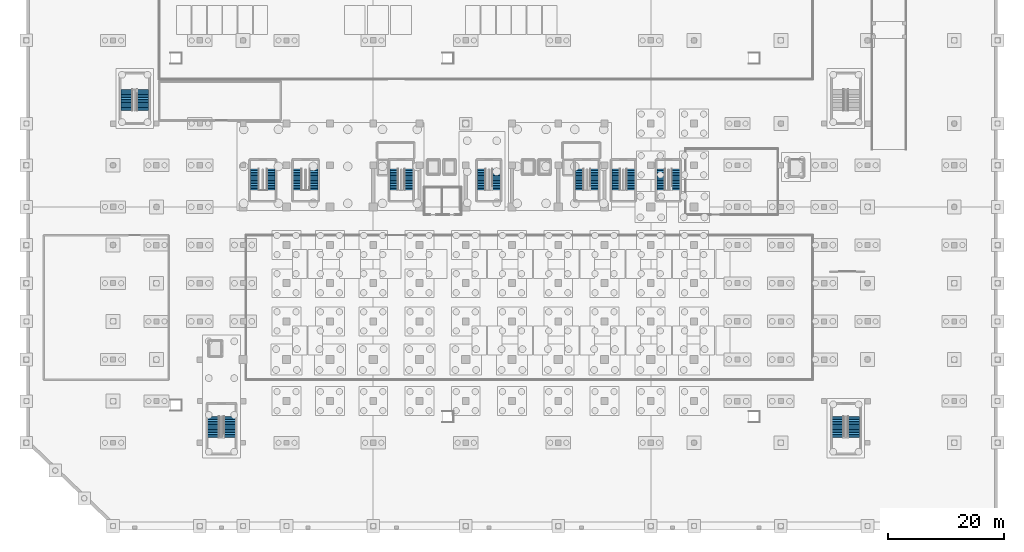
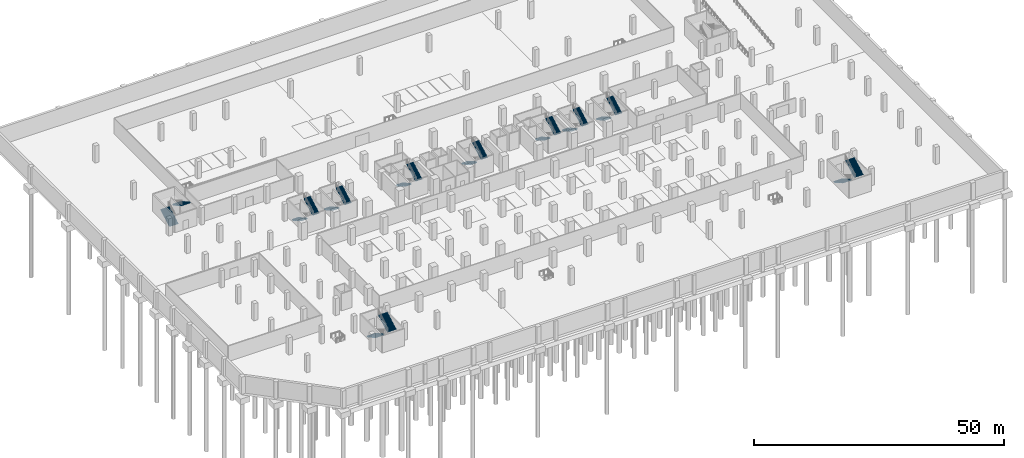
# One storey, part 19 of 26: 20 stair flights, 10 elements without a shape of their own.
"""IFC4 building model written with IfcOpenShell, lengths in metres."""

from ifc_helpers import new_model, si_unit, direction, frame, origin, place, context, subcontext, project, spatial, polyline, outline, extrude, material, type_object, element, aggregate, save


model = new_model("IFC4")

# Units and contexts
model_context = context("Model", 3, precision=1e-05, world=origin(), true_north=direction((0.0, 1.0)))
body_context = subcontext(model_context, "Body", "Model", "MODEL_VIEW")
ifc_project = project(units=[si_unit("LENGTHUNIT", "METRE"), si_unit("AREAUNIT", "SQUARE_METRE"), si_unit("VOLUMEUNIT", "CUBIC_METRE"), si_unit("PLANEANGLEUNIT", "RADIAN"), si_unit("MASSUNIT", "GRAM", prefix="KILO")], contexts=[model_context])

# Site, building, storey
site_placement = place(None, origin())
site = spatial("IfcSite", under=ifc_project, at=site_placement, CompositionType="ELEMENT")
building_placement = place(site_placement, origin())
building = spatial("IfcBuilding", under=site, at=building_placement, Name="Akrevak Sports Hall", CompositionType="ELEMENT")
storey_placement = place(building_placement, frame((0.0, 0.0, -9.0)))
storey = spatial("IfcBuildingStorey", under=building, at=storey_placement, Name="B02", CompositionType="ELEMENT", Elevation=-9.0)

# Stair, stair flights
ifc_material = material(Name="Concrete C40/50", Category="concrete")
stair_type_1 = type_object("IfcStairType", Name="ARC-STR-DOG-450", PredefinedType="HALF_TURN_STAIR", material=ifc_material)
stair_1_placement = place(storey_placement, origin())
stair_1 = element("IfcStair", 1, at=stair_1_placement, inside=storey, type_object=stair_type_1, Name="Protected Exit Stair ST1 (B02 to B01)", PredefinedType="HALF_TURN_STAIR")
stair_flight_type_1 = type_object("IfcStairFlightType", Name="ARC-FLT-165-161", PredefinedType="STRAIGHT", material=ifc_material)
stair_flight_1_placement = place(storey_placement, frame((63.610107421875, 61.735107421875, 0.0), z_axis=(0.0, 0.0, 1.0), x_axis=(0.0, -1.0, 0.0)))
stair_flight_1 = element("IfcStairFlight", 2, at=stair_flight_1_placement, type_object=stair_flight_type_1, Name="Stair ST1 Flight 1 (B02)", NumberOfRisers=14, NumberOfTreads=13, PredefinedType="STRAIGHT", RiserHeight=0.160714, TreadLength=0.28, context=body_context, shape_type="SweptSolid", body=[
    extrude(outline(polyline([(0.0, 0.0), (0.0, 0.16064453125), (0.280029296875, 0.16064453125), (0.280029296875, 0.321533203125), (0.56005859375, 0.321533203125), (0.56005859375, 0.482177734375), (0.840087890625, 0.482177734375), (0.840087890625, 0.642822265625), (1.1201171875, 0.642822265625), (1.1201171875, 0.803466796875), (1.39990234375, 0.803466796875), (1.39990234375, 0.96435546875), (1.679931640625, 0.96435546875), (1.679931640625, 1.125), (1.9599609375, 1.125), (1.9599609375, 1.28564453125), (2.239990234375, 1.28564453125), (2.239990234375, 1.446533203125), (2.52001953125, 1.446533203125), (2.52001953125, 1.607177734375), (2.800048828125, 1.607177734375), (2.800048828125, 1.767822265625), (3.080078125, 1.767822265625), (3.080078125, 1.928466796875), (3.360107421875, 1.928466796875), (3.360107421875, 2.08935546875), (3.639892578125, 2.08935546875), (3.639892578125, 2.25), (3.639892578125, 1.858642578125), (0.401611328125, 0.0), (0.0, 0.0)])), frame((0.0, 0.75, 0.0), z_axis=(0.0, -1.0, 0.0), x_axis=(1.0, 0.0, 0.0)), (0.0, 0.0, 1.0), 1.5),
])
stair_flight_2_placement = place(storey_placement, frame((66.090087890625, 58.094970703125, 2.25), z_axis=(0.0, 0.0, 1.0), x_axis=(0.0, 1.0, 0.0)))
stair_flight_2 = element("IfcStairFlight", 3, at=stair_flight_2_placement, type_object=stair_flight_type_1, Name="Stair ST1 Flight 2 (B02)", NumberOfRisers=14, NumberOfTreads=13, PredefinedType="STRAIGHT", RiserHeight=0.160714, TreadLength=0.28, context=body_context, shape_type="SweptSolid", body=[
    extrude(outline(polyline([(0.0, 0.0), (0.0, 0.16064453125), (0.280029296875, 0.16064453125), (0.280029296875, 0.321533203125), (0.56005859375, 0.321533203125), (0.56005859375, 0.482177734375), (0.840087890625, 0.482177734375), (0.840087890625, 0.642822265625), (1.1201171875, 0.642822265625), (1.1201171875, 0.803466796875), (1.39990234375, 0.803466796875), (1.39990234375, 0.96435546875), (1.679931640625, 0.96435546875), (1.679931640625, 1.125), (1.9599609375, 1.125), (1.9599609375, 1.28564453125), (2.239990234375, 1.28564453125), (2.239990234375, 1.446533203125), (2.52001953125, 1.446533203125), (2.52001953125, 1.607177734375), (2.800048828125, 1.607177734375), (2.800048828125, 1.767822265625), (3.080078125, 1.767822265625), (3.080078125, 1.928466796875), (3.360107421875, 1.928466796875), (3.360107421875, 2.08935546875), (3.639892578125, 2.08935546875), (3.639892578125, 2.25), (3.639892578125, 1.858642578125), (0.401611328125, 0.0), (0.0, 0.0)])), frame((0.0, 0.75, 0.0), z_axis=(0.0, -1.0, 0.0), x_axis=(1.0, 0.0, 0.0)), (0.0, 0.0, 1.0), 1.5),
])
aggregate(stair_1, [stair_flight_1, stair_flight_2])

stair_2_placement = place(storey_placement, origin())
stair_2 = element("IfcStair", 4, at=stair_2_placement, inside=storey, type_object=stair_type_1, Name="Protected Exit Stair ST2 (B02 to B01)", PredefinedType="HALF_TURN_STAIR")
stair_flight_3_placement = place(storey_placement, frame((95.7099609375, 61.735107421875, 0.0), z_axis=(0.0, 0.0, 1.0), x_axis=(0.0, -1.0, 0.0)))
stair_flight_3 = element("IfcStairFlight", 5, at=stair_flight_3_placement, type_object=stair_flight_type_1, Name="Stair ST2 Flight 1 (B02)", NumberOfRisers=14, NumberOfTreads=13, PredefinedType="STRAIGHT", RiserHeight=0.160714, TreadLength=0.28, context=body_context, shape_type="SweptSolid", body=[
    extrude(outline(polyline([(0.0, 0.0), (0.0, 0.16064453125), (0.280029296875, 0.16064453125), (0.280029296875, 0.321533203125), (0.56005859375, 0.321533203125), (0.56005859375, 0.482177734375), (0.840087890625, 0.482177734375), (0.840087890625, 0.642822265625), (1.1201171875, 0.642822265625), (1.1201171875, 0.803466796875), (1.39990234375, 0.803466796875), (1.39990234375, 0.96435546875), (1.679931640625, 0.96435546875), (1.679931640625, 1.125), (1.9599609375, 1.125), (1.9599609375, 1.28564453125), (2.239990234375, 1.28564453125), (2.239990234375, 1.446533203125), (2.52001953125, 1.446533203125), (2.52001953125, 1.607177734375), (2.800048828125, 1.607177734375), (2.800048828125, 1.767822265625), (3.080078125, 1.767822265625), (3.080078125, 1.928466796875), (3.360107421875, 1.928466796875), (3.360107421875, 2.08935546875), (3.639892578125, 2.08935546875), (3.639892578125, 2.25), (3.639892578125, 1.858642578125), (0.401611328125, 0.0), (0.0, 0.0)])), frame((0.0, 0.75, 0.0), z_axis=(0.0, -1.0, 0.0), x_axis=(1.0, 0.0, 0.0)), (0.0, 0.0, 1.0), 1.5),
])
stair_flight_4_placement = place(storey_placement, frame((98.18994140625, 58.094970703125, 2.25), z_axis=(0.0, 0.0, 1.0), x_axis=(0.0, 1.0, 0.0)))
stair_flight_4 = element("IfcStairFlight", 6, at=stair_flight_4_placement, type_object=stair_flight_type_1, Name="Stair ST2 Flight 2 (B02)", NumberOfRisers=14, NumberOfTreads=13, PredefinedType="STRAIGHT", RiserHeight=0.160714, TreadLength=0.28, context=body_context, shape_type="SweptSolid", body=[
    extrude(outline(polyline([(0.0, 0.0), (0.0, 0.16064453125), (0.280029296875, 0.16064453125), (0.280029296875, 0.321533203125), (0.56005859375, 0.321533203125), (0.56005859375, 0.482177734375), (0.840087890625, 0.482177734375), (0.840087890625, 0.642822265625), (1.1201171875, 0.642822265625), (1.1201171875, 0.803466796875), (1.39990234375, 0.803466796875), (1.39990234375, 0.96435546875), (1.679931640625, 0.96435546875), (1.679931640625, 1.125), (1.9599609375, 1.125), (1.9599609375, 1.28564453125), (2.239990234375, 1.28564453125), (2.239990234375, 1.446533203125), (2.52001953125, 1.446533203125), (2.52001953125, 1.607177734375), (2.800048828125, 1.607177734375), (2.800048828125, 1.767822265625), (3.080078125, 1.767822265625), (3.080078125, 1.928466796875), (3.360107421875, 1.928466796875), (3.360107421875, 2.08935546875), (3.639892578125, 2.08935546875), (3.639892578125, 2.25), (3.639892578125, 1.858642578125), (0.401611328125, 0.0), (0.0, 0.0)])), frame((0.0, 0.75, 0.0), z_axis=(0.0, -1.0, 0.0), x_axis=(1.0, 0.0, 0.0)), (0.0, 0.0, 1.0), 1.5),
])
aggregate(stair_2, [stair_flight_3, stair_flight_4])

stair_3_placement = place(storey_placement, origin())
stair_3 = element("IfcStair", 7, at=stair_3_placement, inside=storey, type_object=stair_type_1, Name="Protected Exit Stair ST3 (B02 to B01)", PredefinedType="HALF_TURN_STAIR")
stair_flight_5_placement = place(storey_placement, frame((78.760009765625, 61.735107421875, 0.0), z_axis=(0.0, 0.0, 1.0), x_axis=(0.0, -1.0, 0.0)))
stair_flight_5 = element("IfcStairFlight", 8, at=stair_flight_5_placement, type_object=stair_flight_type_1, Name="Stair ST3 Flight 1 (B02)", NumberOfRisers=14, NumberOfTreads=13, PredefinedType="STRAIGHT", RiserHeight=0.160714, TreadLength=0.28, context=body_context, shape_type="SweptSolid", body=[
    extrude(outline(polyline([(0.0, 0.0), (0.0, 0.16064453125), (0.280029296875, 0.16064453125), (0.280029296875, 0.321533203125), (0.56005859375, 0.321533203125), (0.56005859375, 0.482177734375), (0.840087890625, 0.482177734375), (0.840087890625, 0.642822265625), (1.1201171875, 0.642822265625), (1.1201171875, 0.803466796875), (1.39990234375, 0.803466796875), (1.39990234375, 0.96435546875), (1.679931640625, 0.96435546875), (1.679931640625, 1.125), (1.9599609375, 1.125), (1.9599609375, 1.28564453125), (2.239990234375, 1.28564453125), (2.239990234375, 1.446533203125), (2.52001953125, 1.446533203125), (2.52001953125, 1.607177734375), (2.800048828125, 1.607177734375), (2.800048828125, 1.767822265625), (3.080078125, 1.767822265625), (3.080078125, 1.928466796875), (3.360107421875, 1.928466796875), (3.360107421875, 2.08935546875), (3.639892578125, 2.08935546875), (3.639892578125, 2.25), (3.639892578125, 1.858642578125), (0.401611328125, 0.0), (0.0, 0.0)])), frame((0.0, 0.75, 0.0), z_axis=(0.0, -1.0, 0.0), x_axis=(1.0, 0.0, 0.0)), (0.0, 0.0, 1.0), 1.5),
])
stair_flight_6_placement = place(storey_placement, frame((81.239990234375, 58.094970703125, 2.25), z_axis=(0.0, 0.0, 1.0), x_axis=(0.0, 1.0, 0.0)))
stair_flight_6 = element("IfcStairFlight", 9, at=stair_flight_6_placement, type_object=stair_flight_type_1, Name="Stair ST3 Flight 2 (B02)", NumberOfRisers=14, NumberOfTreads=13, PredefinedType="STRAIGHT", RiserHeight=0.160714, TreadLength=0.28, context=body_context, shape_type="SweptSolid", body=[
    extrude(outline(polyline([(0.0, 0.0), (0.0, 0.16064453125), (0.280029296875, 0.16064453125), (0.280029296875, 0.321533203125), (0.56005859375, 0.321533203125), (0.56005859375, 0.482177734375), (0.840087890625, 0.482177734375), (0.840087890625, 0.642822265625), (1.1201171875, 0.642822265625), (1.1201171875, 0.803466796875), (1.39990234375, 0.803466796875), (1.39990234375, 0.96435546875), (1.679931640625, 0.96435546875), (1.679931640625, 1.125), (1.9599609375, 1.125), (1.9599609375, 1.28564453125), (2.239990234375, 1.28564453125), (2.239990234375, 1.446533203125), (2.52001953125, 1.446533203125), (2.52001953125, 1.607177734375), (2.800048828125, 1.607177734375), (2.800048828125, 1.767822265625), (3.080078125, 1.767822265625), (3.080078125, 1.928466796875), (3.360107421875, 1.928466796875), (3.360107421875, 2.08935546875), (3.639892578125, 2.08935546875), (3.639892578125, 2.25), (3.639892578125, 1.858642578125), (0.401611328125, 0.0), (0.0, 0.0)])), frame((0.0, 0.75, 0.0), z_axis=(0.0, -1.0, 0.0), x_axis=(1.0, 0.0, 0.0)), (0.0, 0.0, 1.0), 1.5),
])
aggregate(stair_3, [stair_flight_5, stair_flight_6])

stair_4_placement = place(storey_placement, origin())
stair_4 = element("IfcStair", 10, at=stair_4_placement, inside=storey, type_object=stair_type_1, Name="East Wing Exit Stair ST10 (B02 to B01)", PredefinedType="HALF_TURN_STAIR")
stair_flight_7_placement = place(storey_placement, frame((102.010009765625, 61.735107421875, 0.0), z_axis=(0.0, 0.0, 1.0), x_axis=(0.0, -1.0, 0.0)))
stair_flight_7 = element("IfcStairFlight", 11, at=stair_flight_7_placement, type_object=stair_flight_type_1, Name="Stair ST10 Flight 1 (B02)", NumberOfRisers=14, NumberOfTreads=13, PredefinedType="STRAIGHT", RiserHeight=0.160714, TreadLength=0.28, context=body_context, shape_type="SweptSolid", body=[
    extrude(outline(polyline([(0.0, 0.0), (0.0, 0.16064453125), (0.280029296875, 0.16064453125), (0.280029296875, 0.321533203125), (0.56005859375, 0.321533203125), (0.56005859375, 0.482177734375), (0.840087890625, 0.482177734375), (0.840087890625, 0.642822265625), (1.1201171875, 0.642822265625), (1.1201171875, 0.803466796875), (1.39990234375, 0.803466796875), (1.39990234375, 0.96435546875), (1.679931640625, 0.96435546875), (1.679931640625, 1.125), (1.9599609375, 1.125), (1.9599609375, 1.28564453125), (2.239990234375, 1.28564453125), (2.239990234375, 1.446533203125), (2.52001953125, 1.446533203125), (2.52001953125, 1.607177734375), (2.800048828125, 1.607177734375), (2.800048828125, 1.767822265625), (3.080078125, 1.767822265625), (3.080078125, 1.928466796875), (3.360107421875, 1.928466796875), (3.360107421875, 2.08935546875), (3.639892578125, 2.08935546875), (3.639892578125, 2.25), (3.639892578125, 1.858642578125), (0.401611328125, 0.0), (0.0, 0.0)])), frame((0.0, 0.75, 0.0), z_axis=(0.0, -1.0, 0.0), x_axis=(1.0, 0.0, 0.0)), (0.0, 0.0, 1.0), 1.5),
])
stair_flight_8_placement = place(storey_placement, frame((104.489990234375, 58.094970703125, 2.25), z_axis=(0.0, 0.0, 1.0), x_axis=(0.0, 1.0, 0.0)))
stair_flight_8 = element("IfcStairFlight", 12, at=stair_flight_8_placement, type_object=stair_flight_type_1, Name="Stair ST10 Flight 2 (B02)", NumberOfRisers=14, NumberOfTreads=13, PredefinedType="STRAIGHT", RiserHeight=0.160714, TreadLength=0.28, context=body_context, shape_type="SweptSolid", body=[
    extrude(outline(polyline([(0.0, 0.0), (0.0, 0.16064453125), (0.280029296875, 0.16064453125), (0.280029296875, 0.321533203125), (0.56005859375, 0.321533203125), (0.56005859375, 0.482177734375), (0.840087890625, 0.482177734375), (0.840087890625, 0.642822265625), (1.1201171875, 0.642822265625), (1.1201171875, 0.803466796875), (1.39990234375, 0.803466796875), (1.39990234375, 0.96435546875), (1.679931640625, 0.96435546875), (1.679931640625, 1.125), (1.9599609375, 1.125), (1.9599609375, 1.28564453125), (2.239990234375, 1.28564453125), (2.239990234375, 1.446533203125), (2.52001953125, 1.446533203125), (2.52001953125, 1.607177734375), (2.800048828125, 1.607177734375), (2.800048828125, 1.767822265625), (3.080078125, 1.767822265625), (3.080078125, 1.928466796875), (3.360107421875, 1.928466796875), (3.360107421875, 2.08935546875), (3.639892578125, 2.08935546875), (3.639892578125, 2.25), (3.639892578125, 1.858642578125), (0.401611328125, 0.0), (0.0, 0.0)])), frame((0.0, 0.75, 0.0), z_axis=(0.0, -1.0, 0.0), x_axis=(1.0, 0.0, 0.0)), (0.0, 0.0, 1.0), 1.5),
])
aggregate(stair_4, [stair_flight_7, stair_flight_8])

stair_5_placement = place(storey_placement, origin())
stair_5 = element("IfcStair", 13, at=stair_5_placement, inside=storey, type_object=stair_type_1, Name="East Transfer Exit Stair ST11 (B02 to B01)", PredefinedType="HALF_TURN_STAIR")
stair_flight_9_placement = place(storey_placement, frame((109.81005859375, 61.735107421875, 0.0), z_axis=(0.0, 0.0, 1.0), x_axis=(0.0, -1.0, 0.0)))
stair_flight_9 = element("IfcStairFlight", 14, at=stair_flight_9_placement, type_object=stair_flight_type_1, Name="Stair ST11 Flight 1 (B02)", NumberOfRisers=14, NumberOfTreads=13, PredefinedType="STRAIGHT", RiserHeight=0.160714, TreadLength=0.28, context=body_context, shape_type="SweptSolid", body=[
    extrude(outline(polyline([(0.0, 0.0), (0.0, 0.16064453125), (0.280029296875, 0.16064453125), (0.280029296875, 0.321533203125), (0.56005859375, 0.321533203125), (0.56005859375, 0.482177734375), (0.840087890625, 0.482177734375), (0.840087890625, 0.642822265625), (1.1201171875, 0.642822265625), (1.1201171875, 0.803466796875), (1.39990234375, 0.803466796875), (1.39990234375, 0.96435546875), (1.679931640625, 0.96435546875), (1.679931640625, 1.125), (1.9599609375, 1.125), (1.9599609375, 1.28564453125), (2.239990234375, 1.28564453125), (2.239990234375, 1.446533203125), (2.52001953125, 1.446533203125), (2.52001953125, 1.607177734375), (2.800048828125, 1.607177734375), (2.800048828125, 1.767822265625), (3.080078125, 1.767822265625), (3.080078125, 1.928466796875), (3.360107421875, 1.928466796875), (3.360107421875, 2.08935546875), (3.639892578125, 2.08935546875), (3.639892578125, 2.25), (3.639892578125, 1.858642578125), (0.401611328125, 0.0), (0.0, 0.0)])), frame((0.0, 0.75, 0.0), z_axis=(0.0, -1.0, 0.0), x_axis=(1.0, 0.0, 0.0)), (0.0, 0.0, 1.0), 1.5),
])
stair_flight_10_placement = place(storey_placement, frame((112.2900390625, 58.094970703125, 2.25), z_axis=(0.0, 0.0, 1.0), x_axis=(0.0, 1.0, 0.0)))
stair_flight_10 = element("IfcStairFlight", 15, at=stair_flight_10_placement, type_object=stair_flight_type_1, Name="Stair ST11 Flight 2 (B02)", NumberOfRisers=14, NumberOfTreads=13, PredefinedType="STRAIGHT", RiserHeight=0.160714, TreadLength=0.28, context=body_context, shape_type="SweptSolid", body=[
    extrude(outline(polyline([(0.0, 0.0), (0.0, 0.16064453125), (0.280029296875, 0.16064453125), (0.280029296875, 0.321533203125), (0.56005859375, 0.321533203125), (0.56005859375, 0.482177734375), (0.840087890625, 0.482177734375), (0.840087890625, 0.642822265625), (1.1201171875, 0.642822265625), (1.1201171875, 0.803466796875), (1.39990234375, 0.803466796875), (1.39990234375, 0.96435546875), (1.679931640625, 0.96435546875), (1.679931640625, 1.125), (1.9599609375, 1.125), (1.9599609375, 1.28564453125), (2.239990234375, 1.28564453125), (2.239990234375, 1.446533203125), (2.52001953125, 1.446533203125), (2.52001953125, 1.607177734375), (2.800048828125, 1.607177734375), (2.800048828125, 1.767822265625), (3.080078125, 1.767822265625), (3.080078125, 1.928466796875), (3.360107421875, 1.928466796875), (3.360107421875, 2.08935546875), (3.639892578125, 2.08935546875), (3.639892578125, 2.25), (3.639892578125, 1.858642578125), (0.401611328125, 0.0), (0.0, 0.0)])), frame((0.0, 0.75, 0.0), z_axis=(0.0, -1.0, 0.0), x_axis=(1.0, 0.0, 0.0)), (0.0, 0.0, 1.0), 1.5),
])
aggregate(stair_5, [stair_flight_9, stair_flight_10])

stair_type_2 = type_object("IfcStairType", Name="ARC-STR-MDOG-450", PredefinedType="HALF_TURN_STAIR", material=ifc_material)
stair_6_placement = place(storey_placement, origin())
stair_6 = element("IfcStair", 16, at=stair_6_placement, inside=storey, type_object=stair_type_2, Name="Protected Exit Stair ST4 (B02 to B01)", PredefinedType="HALF_TURN_STAIR")
stair_flight_type_2 = type_object("IfcStairFlightType", Name="ARC-FLT-200-161", PredefinedType="STRAIGHT", material=ifc_material)
stair_flight_11_placement = place(storey_placement, frame((46.9150390625, 61.735107421875, 0.0), z_axis=(0.0, 0.0, 1.0), x_axis=(0.0, -1.0, 0.0)))
stair_flight_11 = element("IfcStairFlight", 17, at=stair_flight_11_placement, type_object=stair_flight_type_2, Name="Stair ST4 Flight 1 (B02)", NumberOfRisers=14, NumberOfTreads=13, PredefinedType="STRAIGHT", RiserHeight=0.160714, TreadLength=0.28, context=body_context, shape_type="SweptSolid", body=[
    extrude(outline(polyline([(0.0, 0.0), (0.0, 0.16064453125), (0.280029296875, 0.16064453125), (0.280029296875, 0.321533203125), (0.56005859375, 0.321533203125), (0.56005859375, 0.482177734375), (0.840087890625, 0.482177734375), (0.840087890625, 0.642822265625), (1.1201171875, 0.642822265625), (1.1201171875, 0.803466796875), (1.39990234375, 0.803466796875), (1.39990234375, 0.96435546875), (1.679931640625, 0.96435546875), (1.679931640625, 1.125), (1.9599609375, 1.125), (1.9599609375, 1.28564453125), (2.239990234375, 1.28564453125), (2.239990234375, 1.446533203125), (2.52001953125, 1.446533203125), (2.52001953125, 1.607177734375), (2.800048828125, 1.607177734375), (2.800048828125, 1.767822265625), (3.080078125, 1.767822265625), (3.080078125, 1.928466796875), (3.360107421875, 1.928466796875), (3.360107421875, 2.08935546875), (3.639892578125, 2.08935546875), (3.639892578125, 2.25), (3.639892578125, 1.858642578125), (0.401611328125, 0.0), (0.0, 0.0)])), frame((0.0, 0.7548828125, 0.0), z_axis=(0.0, -1.0, 0.0), x_axis=(1.0, 0.0, 0.0)), (0.0, 0.0, 1.0), 1.510009765625),
])
stair_flight_12_placement = place(storey_placement, frame((49.68505859375, 58.094970703125, 2.25), z_axis=(0.0, 0.0, 1.0), x_axis=(0.0, 1.0, 0.0)))
stair_flight_12 = element("IfcStairFlight", 18, at=stair_flight_12_placement, type_object=stair_flight_type_2, Name="Stair ST4 Flight 2 (B02)", NumberOfRisers=14, NumberOfTreads=13, PredefinedType="STRAIGHT", RiserHeight=0.160714, TreadLength=0.28, context=body_context, shape_type="SweptSolid", body=[
    extrude(outline(polyline([(0.0, 0.0), (0.0, 0.16064453125), (0.280029296875, 0.16064453125), (0.280029296875, 0.321533203125), (0.56005859375, 0.321533203125), (0.56005859375, 0.482177734375), (0.840087890625, 0.482177734375), (0.840087890625, 0.642822265625), (1.1201171875, 0.642822265625), (1.1201171875, 0.803466796875), (1.39990234375, 0.803466796875), (1.39990234375, 0.96435546875), (1.679931640625, 0.96435546875), (1.679931640625, 1.125), (1.9599609375, 1.125), (1.9599609375, 1.28564453125), (2.239990234375, 1.28564453125), (2.239990234375, 1.446533203125), (2.52001953125, 1.446533203125), (2.52001953125, 1.607177734375), (2.800048828125, 1.607177734375), (2.800048828125, 1.767822265625), (3.080078125, 1.767822265625), (3.080078125, 1.928466796875), (3.360107421875, 1.928466796875), (3.360107421875, 2.08935546875), (3.639892578125, 2.08935546875), (3.639892578125, 2.25), (3.639892578125, 1.858642578125), (0.401611328125, 0.0), (0.0, 0.0)])), frame((0.0, 0.7548828125, 0.0), z_axis=(0.0, -1.0, 0.0), x_axis=(1.0, 0.0, 0.0)), (0.0, 0.0, 1.0), 1.510009765625),
])
aggregate(stair_6, [stair_flight_11, stair_flight_12])

stair_7_placement = place(storey_placement, origin())
stair_7 = element("IfcStair", 19, at=stair_7_placement, inside=storey, type_object=stair_type_2, Name="Transfer West Exit Stair ST9 (B02 to B01)", PredefinedType="HALF_TURN_STAIR")
stair_flight_13_placement = place(storey_placement, frame((39.514892578125, 61.735107421875, 0.0), z_axis=(0.0, 0.0, 1.0), x_axis=(0.0, -1.0, 0.0)))
stair_flight_13 = element("IfcStairFlight", 20, at=stair_flight_13_placement, type_object=stair_flight_type_2, Name="Stair ST9 Flight 1 (B02)", NumberOfRisers=14, NumberOfTreads=13, PredefinedType="STRAIGHT", RiserHeight=0.160714, TreadLength=0.28, context=body_context, shape_type="SweptSolid", body=[
    extrude(outline(polyline([(0.0, 0.0), (0.0, 0.16064453125), (0.280029296875, 0.16064453125), (0.280029296875, 0.321533203125), (0.56005859375, 0.321533203125), (0.56005859375, 0.482177734375), (0.840087890625, 0.482177734375), (0.840087890625, 0.642822265625), (1.1201171875, 0.642822265625), (1.1201171875, 0.803466796875), (1.39990234375, 0.803466796875), (1.39990234375, 0.96435546875), (1.679931640625, 0.96435546875), (1.679931640625, 1.125), (1.9599609375, 1.125), (1.9599609375, 1.28564453125), (2.239990234375, 1.28564453125), (2.239990234375, 1.446533203125), (2.52001953125, 1.446533203125), (2.52001953125, 1.607177734375), (2.800048828125, 1.607177734375), (2.800048828125, 1.767822265625), (3.080078125, 1.767822265625), (3.080078125, 1.928466796875), (3.360107421875, 1.928466796875), (3.360107421875, 2.08935546875), (3.639892578125, 2.08935546875), (3.639892578125, 2.25), (3.639892578125, 1.858642578125), (0.401611328125, 0.0), (0.0, 0.0)])), frame((0.0, 0.7548828125, 0.0), z_axis=(0.0, -1.0, 0.0), x_axis=(1.0, 0.0, 0.0)), (0.0, 0.0, 1.0), 1.510009765625),
])
stair_flight_14_placement = place(storey_placement, frame((42.284912109375, 58.094970703125, 2.25), z_axis=(0.0, 0.0, 1.0), x_axis=(0.0, 1.0, 0.0)))
stair_flight_14 = element("IfcStairFlight", 21, at=stair_flight_14_placement, type_object=stair_flight_type_2, Name="Stair ST9 Flight 2 (B02)", NumberOfRisers=14, NumberOfTreads=13, PredefinedType="STRAIGHT", RiserHeight=0.160714, TreadLength=0.28, context=body_context, shape_type="SweptSolid", body=[
    extrude(outline(polyline([(0.0, 0.0), (0.0, 0.16064453125), (0.280029296875, 0.16064453125), (0.280029296875, 0.321533203125), (0.56005859375, 0.321533203125), (0.56005859375, 0.482177734375), (0.840087890625, 0.482177734375), (0.840087890625, 0.642822265625), (1.1201171875, 0.642822265625), (1.1201171875, 0.803466796875), (1.39990234375, 0.803466796875), (1.39990234375, 0.96435546875), (1.679931640625, 0.96435546875), (1.679931640625, 1.125), (1.9599609375, 1.125), (1.9599609375, 1.28564453125), (2.239990234375, 1.28564453125), (2.239990234375, 1.446533203125), (2.52001953125, 1.446533203125), (2.52001953125, 1.607177734375), (2.800048828125, 1.607177734375), (2.800048828125, 1.767822265625), (3.080078125, 1.767822265625), (3.080078125, 1.928466796875), (3.360107421875, 1.928466796875), (3.360107421875, 2.08935546875), (3.639892578125, 2.08935546875), (3.639892578125, 2.25), (3.639892578125, 1.858642578125), (0.401611328125, 0.0), (0.0, 0.0)])), frame((0.0, 0.7548828125, 0.0), z_axis=(0.0, -1.0, 0.0), x_axis=(1.0, 0.0, 0.0)), (0.0, 0.0, 1.0), 1.510009765625),
])
aggregate(stair_7, [stair_flight_13, stair_flight_14])

stair_type_3 = type_object("IfcStairType", Name="ARC-STR-PDOG-450", PredefinedType="HALF_TURN_STAIR", material=ifc_material)
stair_8_placement = place(storey_placement, origin())
stair_8 = element("IfcStair", 22, at=stair_8_placement, inside=storey, type_object=stair_type_3, Name="Podium SW Exit Stair ST5 (B02 to B01)", PredefinedType="HALF_TURN_STAIR")
stair_flight_type_3 = type_object("IfcStairFlightType", Name="ARC-FLT-225-161", PredefinedType="STRAIGHT", material=ifc_material)
stair_flight_15_placement = place(storey_placement, frame((32.385009765625, 18.949951171875, 0.0), z_axis=(0.0, 0.0, 1.0), x_axis=(0.0, -1.0, 0.0)))
stair_flight_15 = element("IfcStairFlight", 23, at=stair_flight_15_placement, type_object=stair_flight_type_3, Name="Stair ST5 Flight 1 (B02)", NumberOfRisers=14, NumberOfTreads=13, PredefinedType="STRAIGHT", RiserHeight=0.160714, TreadLength=0.28, context=body_context, shape_type="SweptSolid", body=[
    extrude(outline(polyline([(0.0, 0.0), (0.0, 0.16064453125), (0.280029296875, 0.16064453125), (0.280029296875, 0.321533203125), (0.56005859375, 0.321533203125), (0.56005859375, 0.482177734375), (0.840087890625, 0.482177734375), (0.840087890625, 0.642822265625), (1.1201171875, 0.642822265625), (1.1201171875, 0.803466796875), (1.39990234375, 0.803466796875), (1.39990234375, 0.96435546875), (1.679931640625, 0.96435546875), (1.679931640625, 1.125), (1.9599609375, 1.125), (1.9599609375, 1.28564453125), (2.239990234375, 1.28564453125), (2.239990234375, 1.446533203125), (2.52001953125, 1.446533203125), (2.52001953125, 1.607177734375), (2.800048828125, 1.607177734375), (2.800048828125, 1.767822265625), (3.080078125, 1.767822265625), (3.080078125, 1.928466796875), (3.360107421875, 1.928466796875), (3.360107421875, 2.08935546875), (3.639892578125, 2.08935546875), (3.639892578125, 2.25), (3.639892578125, 1.858642578125), (0.401611328125, 0.0), (0.0, 0.0)])), frame((0.0, 1.02490234375, 0.0), z_axis=(0.0, -1.0, 0.0), x_axis=(1.0, 0.0, 0.0)), (0.0, 0.0, 1.0), 2.050048828125),
])
stair_flight_16_placement = place(storey_placement, frame((35.114990234375, 15.31005859375, 2.25), z_axis=(0.0, 0.0, 1.0), x_axis=(0.0, 1.0, 0.0)))
stair_flight_16 = element("IfcStairFlight", 24, at=stair_flight_16_placement, type_object=stair_flight_type_3, Name="Stair ST5 Flight 2 (B02)", NumberOfRisers=14, NumberOfTreads=13, PredefinedType="STRAIGHT", RiserHeight=0.160714, TreadLength=0.28, context=body_context, shape_type="SweptSolid", body=[
    extrude(outline(polyline([(0.0, 0.0), (0.0, 0.16064453125), (0.280029296875, 0.16064453125), (0.280029296875, 0.321533203125), (0.56005859375, 0.321533203125), (0.56005859375, 0.482177734375), (0.840087890625, 0.482177734375), (0.840087890625, 0.642822265625), (1.1201171875, 0.642822265625), (1.1201171875, 0.803466796875), (1.39990234375, 0.803466796875), (1.39990234375, 0.96435546875), (1.679931640625, 0.96435546875), (1.679931640625, 1.125), (1.9599609375, 1.125), (1.9599609375, 1.28564453125), (2.239990234375, 1.28564453125), (2.239990234375, 1.446533203125), (2.52001953125, 1.446533203125), (2.52001953125, 1.607177734375), (2.800048828125, 1.607177734375), (2.800048828125, 1.767822265625), (3.080078125, 1.767822265625), (3.080078125, 1.928466796875), (3.360107421875, 1.928466796875), (3.360107421875, 2.08935546875), (3.639892578125, 2.08935546875), (3.639892578125, 2.25), (3.639892578125, 1.858642578125), (0.401611328125, 0.0), (0.0, 0.0)])), frame((0.0, 1.02490234375, 0.0), z_axis=(0.0, -1.0, 0.0), x_axis=(1.0, 0.0, 0.0)), (0.0, 0.0, 1.0), 2.050048828125),
])
aggregate(stair_8, [stair_flight_15, stair_flight_16])

stair_9_placement = place(storey_placement, origin())
stair_9 = element("IfcStair", 25, at=stair_9_placement, inside=storey, type_object=stair_type_3, Name="Podium NW Exit Stair ST6 (B02 to B01)", PredefinedType="HALF_TURN_STAIR")
stair_flight_17_placement = place(storey_placement, frame((17.385009765625, 71.85009765625, 0.0), z_axis=(0.0, 0.0, 1.0), x_axis=(0.0, 1.0, 0.0)))
stair_flight_17 = element("IfcStairFlight", 26, at=stair_flight_17_placement, type_object=stair_flight_type_3, Name="Stair ST6 Flight 1 (B02)", NumberOfRisers=14, NumberOfTreads=13, PredefinedType="STRAIGHT", RiserHeight=0.160714, TreadLength=0.28, context=body_context, shape_type="SweptSolid", body=[
    extrude(outline(polyline([(0.0, 0.0), (0.0, 0.16064453125), (0.280029296875, 0.16064453125), (0.280029296875, 0.321533203125), (0.56005859375, 0.321533203125), (0.56005859375, 0.482177734375), (0.840087890625, 0.482177734375), (0.840087890625, 0.642822265625), (1.1201171875, 0.642822265625), (1.1201171875, 0.803466796875), (1.39990234375, 0.803466796875), (1.39990234375, 0.96435546875), (1.679931640625, 0.96435546875), (1.679931640625, 1.125), (1.9599609375, 1.125), (1.9599609375, 1.28564453125), (2.239990234375, 1.28564453125), (2.239990234375, 1.446533203125), (2.52001953125, 1.446533203125), (2.52001953125, 1.607177734375), (2.800048828125, 1.607177734375), (2.800048828125, 1.767822265625), (3.080078125, 1.767822265625), (3.080078125, 1.928466796875), (3.360107421875, 1.928466796875), (3.360107421875, 2.08935546875), (3.639892578125, 2.08935546875), (3.639892578125, 2.25), (3.639892578125, 1.858642578125), (0.401611328125, 0.0), (0.0, 0.0)])), frame((0.0, 1.02490234375, 0.0), z_axis=(0.0, -1.0, 0.0), x_axis=(1.0, 0.0, 0.0)), (0.0, 0.0, 1.0), 2.050048828125),
])
stair_flight_18_placement = place(storey_placement, frame((20.114990234375, 75.489990234375, 2.25), z_axis=(0.0, 0.0, 1.0), x_axis=(0.0, -1.0, 0.0)))
stair_flight_18 = element("IfcStairFlight", 27, at=stair_flight_18_placement, type_object=stair_flight_type_3, Name="Stair ST6 Flight 2 (B02)", NumberOfRisers=14, NumberOfTreads=13, PredefinedType="STRAIGHT", RiserHeight=0.160714, TreadLength=0.28, context=body_context, shape_type="SweptSolid", body=[
    extrude(outline(polyline([(0.0, 0.0), (0.0, 0.16064453125), (0.280029296875, 0.16064453125), (0.280029296875, 0.321533203125), (0.56005859375, 0.321533203125), (0.56005859375, 0.482177734375), (0.840087890625, 0.482177734375), (0.840087890625, 0.642822265625), (1.1201171875, 0.642822265625), (1.1201171875, 0.803466796875), (1.39990234375, 0.803466796875), (1.39990234375, 0.96435546875), (1.679931640625, 0.96435546875), (1.679931640625, 1.125), (1.9599609375, 1.125), (1.9599609375, 1.28564453125), (2.239990234375, 1.28564453125), (2.239990234375, 1.446533203125), (2.52001953125, 1.446533203125), (2.52001953125, 1.607177734375), (2.800048828125, 1.607177734375), (2.800048828125, 1.767822265625), (3.080078125, 1.767822265625), (3.080078125, 1.928466796875), (3.360107421875, 1.928466796875), (3.360107421875, 2.08935546875), (3.639892578125, 2.08935546875), (3.639892578125, 2.25), (3.639892578125, 1.858642578125), (0.401611328125, 0.0), (0.0, 0.0)])), frame((0.0, 1.02490234375, 0.0), z_axis=(0.0, -1.0, 0.0), x_axis=(1.0, 0.0, 0.0)), (0.0, 0.0, 1.0), 2.050048828125),
])
aggregate(stair_9, [stair_flight_17, stair_flight_18])

stair_10_placement = place(storey_placement, origin())
stair_10 = element("IfcStair", 28, at=stair_10_placement, inside=storey, type_object=stair_type_3, Name="Podium SE Exit Stair ST7 (B02 to B01)", PredefinedType="HALF_TURN_STAIR")
stair_flight_19_placement = place(storey_placement, frame((140.385009765625, 18.949951171875, 0.0), z_axis=(0.0, 0.0, 1.0), x_axis=(0.0, -1.0, 0.0)))
stair_flight_19 = element("IfcStairFlight", 29, at=stair_flight_19_placement, type_object=stair_flight_type_3, Name="Stair ST7 Flight 1 (B02)", NumberOfRisers=14, NumberOfTreads=13, PredefinedType="STRAIGHT", RiserHeight=0.160714, TreadLength=0.28, context=body_context, shape_type="SweptSolid", body=[
    extrude(outline(polyline([(0.0, 0.0), (0.0, 0.16064453125), (0.280029296875, 0.16064453125), (0.280029296875, 0.321533203125), (0.56005859375, 0.321533203125), (0.56005859375, 0.482177734375), (0.840087890625, 0.482177734375), (0.840087890625, 0.642822265625), (1.1201171875, 0.642822265625), (1.1201171875, 0.803466796875), (1.39990234375, 0.803466796875), (1.39990234375, 0.96435546875), (1.679931640625, 0.96435546875), (1.679931640625, 1.125), (1.9599609375, 1.125), (1.9599609375, 1.28564453125), (2.239990234375, 1.28564453125), (2.239990234375, 1.446533203125), (2.52001953125, 1.446533203125), (2.52001953125, 1.607177734375), (2.800048828125, 1.607177734375), (2.800048828125, 1.767822265625), (3.080078125, 1.767822265625), (3.080078125, 1.928466796875), (3.360107421875, 1.928466796875), (3.360107421875, 2.08935546875), (3.639892578125, 2.08935546875), (3.639892578125, 2.25), (3.639892578125, 1.858642578125), (0.401611328125, 0.0), (0.0, 0.0)])), frame((0.0, 1.02490234375, 0.0), z_axis=(0.0, -1.0, 0.0), x_axis=(1.0, 0.0, 0.0)), (0.0, 0.0, 1.0), 2.050048828125),
])
stair_flight_20_placement = place(storey_placement, frame((143.114990234375, 15.31005859375, 2.25), z_axis=(0.0, 0.0, 1.0), x_axis=(0.0, 1.0, 0.0)))
stair_flight_20 = element("IfcStairFlight", 30, at=stair_flight_20_placement, type_object=stair_flight_type_3, Name="Stair ST7 Flight 2 (B02)", NumberOfRisers=14, NumberOfTreads=13, PredefinedType="STRAIGHT", RiserHeight=0.160714, TreadLength=0.28, context=body_context, shape_type="SweptSolid", body=[
    extrude(outline(polyline([(0.0, 0.0), (0.0, 0.16064453125), (0.280029296875, 0.16064453125), (0.280029296875, 0.321533203125), (0.56005859375, 0.321533203125), (0.56005859375, 0.482177734375), (0.840087890625, 0.482177734375), (0.840087890625, 0.642822265625), (1.1201171875, 0.642822265625), (1.1201171875, 0.803466796875), (1.39990234375, 0.803466796875), (1.39990234375, 0.96435546875), (1.679931640625, 0.96435546875), (1.679931640625, 1.125), (1.9599609375, 1.125), (1.9599609375, 1.28564453125), (2.239990234375, 1.28564453125), (2.239990234375, 1.446533203125), (2.52001953125, 1.446533203125), (2.52001953125, 1.607177734375), (2.800048828125, 1.607177734375), (2.800048828125, 1.767822265625), (3.080078125, 1.767822265625), (3.080078125, 1.928466796875), (3.360107421875, 1.928466796875), (3.360107421875, 2.08935546875), (3.639892578125, 2.08935546875), (3.639892578125, 2.25), (3.639892578125, 1.858642578125), (0.401611328125, 0.0), (0.0, 0.0)])), frame((0.0, 1.02490234375, 0.0), z_axis=(0.0, -1.0, 0.0), x_axis=(1.0, 0.0, 0.0)), (0.0, 0.0, 1.0), 2.050048828125),
])
aggregate(stair_10, [stair_flight_19, stair_flight_20])

save(model, "model.ifc")
